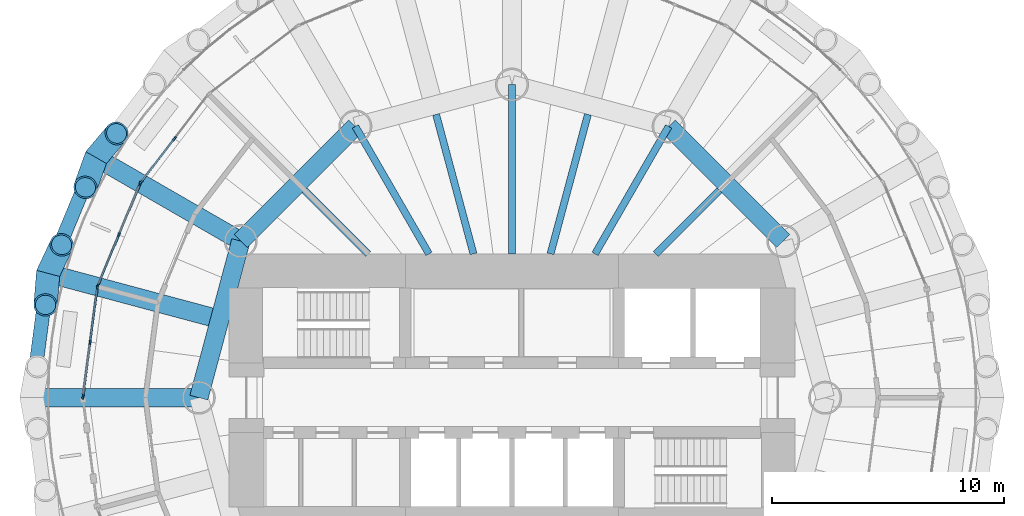
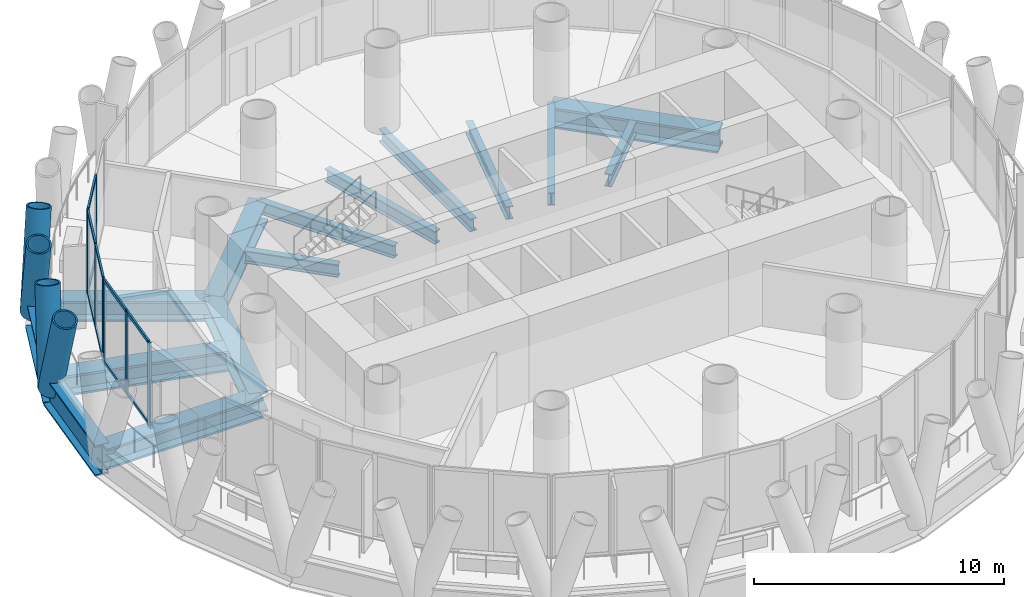
# One storey, part 3 of 12: 22 members, 15 beams, 3 elements without a shape of their own.
"""IFC4 building model written with IfcOpenShell, lengths in metres."""

import ifcopenshell
import ifcopenshell.guid

model = None  # the IFC model being written
_history = None  # IfcOwnerHistory: only IFC2X3 demands one
_inside = {}  # id of a spatial element -> (the spatial element, [elements in it])
_under = {}  # id of a project, library or spatial element -> (it, [spatial elements below it])
_declared = {}  # id of a project -> (the project, [libraries it declares])
_typed = {}  # id of a type object -> (the type object, [elements of that type])
_made_of = {}  # id of a material, layer set ... -> (it, [elements and type objects made of it])


def new_model(schema):
    """Start an empty IFC model of exactly this schema.

    Asked for "IFC4X3", IfcOpenShell would pick the latest addendum, in which some entities
    have other attributes; the version numbers below select the first issue.
    IFC2X3 requires an IfcOwnerHistory on every rooted entity: one is made here for all.
    """
    global model, _history
    if schema == "IFC4X3":
        model = ifcopenshell.file(schema_version=(4, 3, 0, 0))
    else:
        model = ifcopenshell.file(schema=schema)
    _inside.clear()
    _under.clear()
    _declared.clear()
    _typed.clear()
    _made_of.clear()
    _history = None
    if model.schema == "IFC2X3":
        org = make("IfcOrganization", Name="unknown")
        user = make(
            "IfcPersonAndOrganization",
            ThePerson=make("IfcPerson", FamilyName="unknown"),
            TheOrganization=org,
        )
        app = make(
            "IfcApplication",
            ApplicationDeveloper=org,
            Version="unknown",
            ApplicationFullName="unknown",
            ApplicationIdentifier="unknown",
        )
        _history = make(
            "IfcOwnerHistory",
            OwningUser=user,
            OwningApplication=app,
            ChangeAction="ADDED",
            CreationDate=0,
        )
    return model


def make(cls, **values):
    """One entity of the class cls with the attributes given. An attribute that is None is left unset."""
    return model.create_entity(
        cls, **{name: value for name, value in values.items() if value is not None}
    )


def rooted(cls, **values):
    """An entity with a GlobalId (a new one), such as an element, a storey or a relation."""
    return make(cls, GlobalId=ifcopenshell.guid.new(), OwnerHistory=_history, **values)


def si_unit(unit_type, name, prefix=None):
    """IfcSIUnit, for example si_unit("LENGTHUNIT", "METRE", prefix="MILLI")."""
    return make("IfcSIUnit", UnitType=unit_type, Prefix=prefix, Name=name)


def assignment(units):
    """IfcUnitAssignment: the units of a project."""
    return None if units is None else make("IfcUnitAssignment", Units=units)


def point(xyz):
    """IfcCartesianPoint."""
    return None if xyz is None else make("IfcCartesianPoint", Coordinates=xyz)


def direction(xyz):
    """IfcDirection."""
    return None if xyz is None else make("IfcDirection", DirectionRatios=xyz)


def frame(location, z_axis=None, x_axis=None):
    """IfcAxis2Placement3D, a coordinate frame: its origin and axes. An axis left out is left unset."""
    return make(
        "IfcAxis2Placement3D",
        Location=point(location),
        Axis=direction(z_axis),
        RefDirection=direction(x_axis),
    )


def frame_2d(location, x_axis=None):
    """IfcAxis2Placement2D, a coordinate frame in the plane: its origin and x axis."""
    return make(
        "IfcAxis2Placement2D", Location=point(location), RefDirection=direction(x_axis)
    )


def origin():
    """The frame at (0, 0, 0) with its axes left unset."""
    return frame((0.0, 0.0, 0.0))


def origin_2d():
    """The frame at (0, 0) in the plane with its x axis left unset."""
    return frame_2d((0.0, 0.0))


def place(relative_to, where):
    """IfcLocalPlacement: puts the frame where relative to a parent placement (None: the world)."""
    return make(
        "IfcLocalPlacement", PlacementRelTo=relative_to, RelativePlacement=where
    )


def context(
    kind, dimensions, precision=None, world=None, true_north=None, identifier=None
):
    """IfcGeometricRepresentationContext, for example the 3D "Model" context."""
    return make(
        "IfcGeometricRepresentationContext",
        ContextIdentifier=identifier,
        ContextType=kind,
        CoordinateSpaceDimension=dimensions,
        Precision=precision,
        WorldCoordinateSystem=world,
        TrueNorth=true_north,
    )


def subcontext(parent, identifier, kind, view, scale=None):
    """IfcGeometricRepresentationSubContext, for example "Body" below "Model"."""
    return make(
        "IfcGeometricRepresentationSubContext",
        ContextIdentifier=identifier,
        ContextType=kind,
        ParentContext=parent,
        TargetScale=scale,
        TargetView=view,
    )


def project(units=None, contexts=None):
    """IfcProject with its units and contexts."""
    return rooted(
        "IfcProject",
        Name="project",
        RepresentationContexts=contexts,
        UnitsInContext=assignment(units),
    )


def spatial(cls, under=None, at=None, **own):
    """A site, building, storey or space (cls), placed at a placement, below another one or the project."""
    s = rooted(cls, ObjectPlacement=at, **own)
    if under is not None:
        _under.setdefault(under.id(), (under, []))[1].append(s)
    return s


def profile(cls, at=None, kind="AREA", **sizes):
    """A parametric profile (cls). Its sizes go by their IFC names, for example OverallWidth=200.0."""
    return make(cls, ProfileType=kind, Position=at, **sizes)


def rectangle(**sizes):
    """IfcRectangleProfileDef."""
    return profile("IfcRectangleProfileDef", **sizes)


def hollow_circle(**sizes):
    """IfcCircleHollowProfileDef."""
    return profile("IfcCircleHollowProfileDef", **sizes)


def i_section(**sizes):
    """IfcIShapeProfileDef."""
    return profile("IfcIShapeProfileDef", **sizes)


def extrude(swept, where, along, depth):
    """IfcExtrudedAreaSolid: the profile swept, set in the frame where, extruded along a direction by depth."""
    return make(
        "IfcExtrudedAreaSolid",
        SweptArea=swept,
        Position=where,
        ExtrudedDirection=direction(along),
        Depth=depth,
    )


def shape(context_of_items, identifier, shape_type, items):
    """IfcShapeRepresentation: the items that make up one representation, for example the "Body"."""
    return make(
        "IfcShapeRepresentation",
        ContextOfItems=context_of_items,
        RepresentationIdentifier=identifier,
        RepresentationType=shape_type,
        Items=items,
    )


def material(Name=None, Category=None):
    """IfcMaterial."""
    return make("IfcMaterial", Name=Name, Category=Category)


def material_profile(
    of_material, cross_section, Name=None, Category=None, Priority=None
):
    """IfcMaterialProfile: a cross section and its material."""
    return make(
        "IfcMaterialProfile",
        Name=Name,
        Material=of_material,
        Profile=cross_section,
        Priority=Priority,
        Category=Category,
    )


def profile_set(profiles, Name=None, composite=None):
    """IfcMaterialProfileSet."""
    return make(
        "IfcMaterialProfileSet",
        Name=Name,
        MaterialProfiles=profiles,
        CompositeProfile=composite,
    )


def made_of(thing, what):
    """Note that an element or type object is made of a material, layer set ...; save() writes the relation."""
    if what is not None:
        _made_of.setdefault(what.id(), (what, []))[1].append(thing)
    return thing


def type_object(cls, material=None, **own):
    """A type object (cls), such as IfcWallType, which elements share."""
    return made_of(rooted(cls, **own), material)


def element(
    cls,
    number,
    at=None,
    inside=None,
    cuts=None,
    type_object=None,
    material=None,
    context=None,
    identifier="Body",
    shape_type=None,
    held_by="IfcProductDefinitionShape",
    body=None,
    shapes=None,
    **own,
):
    """One element of the class cls, such as IfcWall. Its Tag is "e" and its number.

    at: its placement. inside: the storey or other place that contains it. cuts: it is an
    opening in that element (IfcRelVoidsElement). A single representation is given by context,
    identifier, shape_type and body (its items); several are given by shapes. held_by: the class
    of the entity that holds the representations. save() writes the other relations.
    """
    e = rooted(cls, Tag="e%d" % number, ObjectPlacement=at, **own)
    if body is not None:
        shapes = [shape(context, identifier, shape_type, body)]
    if shapes is not None:
        e.Representation = make(held_by, Representations=shapes)
    if inside is not None:
        _inside.setdefault(inside.id(), (inside, []))[1].append(e)
    if cuts is not None:
        rooted(
            "IfcRelVoidsElement", RelatingBuildingElement=cuts, RelatedOpeningElement=e
        )
    if type_object is not None:
        _typed.setdefault(type_object.id(), (type_object, []))[1].append(e)
    return made_of(e, material)


def aggregate(whole, parts):
    """IfcRelAggregates: a whole, such as a stair, and the parts it consists of."""
    return rooted("IfcRelAggregates", RelatingObject=whole, RelatedObjects=parts)


def save(model, path):
    """Write the relations noted so far, then the file.

    IfcRelAggregates (storeys below a building ...), IfcRelContainedInSpatialStructure (elements
    in a storey), IfcRelDefinesByType, IfcRelAssociatesMaterial and IfcRelDeclares: one each for
    every whole, place, type object, material and project.
    """
    for whole, parts in _under.values():
        aggregate(whole, parts)
    for where, things in _inside.values():
        rooted(
            "IfcRelContainedInSpatialStructure",
            RelatedElements=things,
            RelatingStructure=where,
        )
    for kind, things in _typed.values():
        rooted("IfcRelDefinesByType", RelatedObjects=things, RelatingType=kind)
    for what, things in _made_of.values():
        rooted("IfcRelAssociatesMaterial", RelatedObjects=things, RelatingMaterial=what)
    for by, libraries in _declared.values():
        rooted("IfcRelDeclares", RelatingContext=by, RelatedDefinitions=libraries)
    model.write(path)


model = new_model("IFC4")

# Units and contexts
model_context = context("Model", 3, precision=1e-05, world=origin(), true_north=direction((0.0, 1.0)))
body_context = subcontext(model_context, "Body", "Model", "MODEL_VIEW")
ifc_project = project(units=[si_unit("LENGTHUNIT", "METRE"), si_unit("AREAUNIT", "SQUARE_METRE"), si_unit("VOLUMEUNIT", "CUBIC_METRE"), si_unit("PLANEANGLEUNIT", "RADIAN"), si_unit("MASSUNIT", "GRAM", prefix="KILO")], contexts=[model_context])

# Site, building, storey
site_placement = place(None, origin())
site = spatial("IfcSite", under=ifc_project, at=site_placement, CompositionType="ELEMENT")
building_placement = place(site_placement, origin())
building = spatial("IfcBuilding", under=site, at=building_placement, Name="Qaws Media Tower", CompositionType="ELEMENT")
storey_placement = place(building_placement, frame((0.0, 0.0, 278.0)))
storey = spatial("IfcBuildingStorey", under=building, at=storey_placement, Name="L64", CompositionType="ELEMENT", Elevation=278.0)

# Curtain wall, members
ifc_material_1 = material(Name="Aluminium and clear glass", Category="aluminium")
curtain_wall_type = type_object("IfcCurtainWallType", Name="Unitised curtain wall CW-D", PredefinedType="NOTDEFINED", material=ifc_material_1)
curtain_wall_1_placement = place(storey_placement, origin())
curtain_wall_1 = element("IfcCurtainWall", 1, at=curtain_wall_1_placement, inside=storey, type_object=curtain_wall_type, Name="CWD curtain wall L64-10", PredefinedType="NOTDEFINED")
ifc_material_2 = material(Name="Aluminium mullion", Category="aluminium")
ifc_material_profile_1 = material_profile(ifc_material_2, rectangle(XDim=0.080078125, YDim=0.199951171875, at=origin_2d()), Name="80x200")
ifc_profile_set_1 = profile_set([ifc_material_profile_1], Name="Aluminium mullion")
member_type_1 = type_object("IfcMemberType", Name="Curtain wall mullion 80x200", PredefinedType="MULLION", material=ifc_profile_set_1)
member_1_placement = place(storey_placement, frame((45.448486328125, 61.165771484375, 0.0), z_axis=(0.0, 0.0, 1.0), x_axis=(0.793353257417, -0.608761537012, 0.0)))
member_1 = element("IfcMember", 2, at=member_1_placement, type_object=member_type_1, Name="CWD mullion 2", PredefinedType="MULLION", context=body_context, shape_type="SweptSolid", body=[
    extrude(rectangle(XDim=0.080078125, YDim=0.199951171875, at=origin_2d()), origin(), (0.0, 0.0, 1.0), 4.0400390625),
])
member_2_placement = place(storey_placement, frame((44.0029296875, 59.28173828125, 0.0), z_axis=(0.0, 0.0, 1.0), x_axis=(0.793353257417, -0.608761537012, 0.0)))
member_2 = element("IfcMember", 3, at=member_2_placement, type_object=member_type_1, Name="CWD mullion 3", PredefinedType="MULLION", context=body_context, shape_type="SweptSolid", body=[
    extrude(rectangle(XDim=0.080078125, YDim=0.199951171875, at=origin_2d()), origin(), (0.0, 0.0, 1.0), 4.0400390625),
])

curtain_wall_2_placement = place(storey_placement, origin())
curtain_wall_2 = element("IfcCurtainWall", 4, at=curtain_wall_2_placement, inside=storey, type_object=curtain_wall_type, Name="CWD curtain wall L64-11", PredefinedType="NOTDEFINED")
member_3_placement = place(storey_placement, frame((43.963134765625, 59.213134765625, 0.0), z_axis=(0.0, 0.0, 1.0), x_axis=(0.923879529205, -0.382683440347, 0.0)))
member_3 = element("IfcMember", 5, at=member_3_placement, type_object=member_type_1, Name="CWD mullion 1", PredefinedType="MULLION", context=body_context, shape_type="SweptSolid", body=[
    extrude(rectangle(XDim=0.080078125, YDim=0.199951171875, at=origin_2d()), origin(), (0.0, 0.0, 1.0), 4.0400390625),
])
member_4_placement = place(storey_placement, frame((43.054443359375, 57.01904296875, 0.0), z_axis=(0.0, 0.0, 1.0), x_axis=(0.923879529205, -0.382683440347, 0.0)))
member_4 = element("IfcMember", 6, at=member_4_placement, type_object=member_type_1, Name="CWD mullion 2", PredefinedType="MULLION", context=body_context, shape_type="SweptSolid", body=[
    extrude(rectangle(XDim=0.080078125, YDim=0.199951171875, at=origin_2d()), origin(), (0.0, 0.0, 1.0), 4.0400390625),
])
member_5_placement = place(storey_placement, frame((42.145751953125, 54.8251953125, 0.0), z_axis=(0.0, 0.0, 1.0), x_axis=(0.923879529205, -0.382683440347, 0.0)))
member_5 = element("IfcMember", 7, at=member_5_placement, type_object=member_type_1, Name="CWD mullion 3", PredefinedType="MULLION", context=body_context, shape_type="SweptSolid", body=[
    extrude(rectangle(XDim=0.080078125, YDim=0.199951171875, at=origin_2d()), origin(), (0.0, 0.0, 1.0), 4.0400390625),
])

curtain_wall_3_placement = place(storey_placement, origin())
curtain_wall_3 = element("IfcCurtainWall", 8, at=curtain_wall_3_placement, inside=storey, type_object=curtain_wall_type, Name="CWD curtain wall L64-12", PredefinedType="NOTDEFINED")
member_6_placement = place(storey_placement, frame((42.125244140625, 54.74853515625, 0.0), z_axis=(0.0, 0.0, 1.0), x_axis=(0.991444865919, -0.130526157699, 0.0)))
member_6 = element("IfcMember", 9, at=member_6_placement, type_object=member_type_1, Name="CWD mullion 1", PredefinedType="MULLION", context=body_context, shape_type="SweptSolid", body=[
    extrude(rectangle(XDim=0.080078125, YDim=0.199951171875, at=origin_2d()), origin(), (0.0, 0.0, 1.0), 4.0400390625),
])
member_7_placement = place(storey_placement, frame((41.815185546875, 52.39404296875, 0.0), z_axis=(0.0, 0.0, 1.0), x_axis=(0.991444865919, -0.130526157699, 0.0)))
member_7 = element("IfcMember", 10, at=member_7_placement, type_object=member_type_1, Name="CWD mullion 2", PredefinedType="MULLION", context=body_context, shape_type="SweptSolid", body=[
    extrude(rectangle(XDim=0.080078125, YDim=0.199951171875, at=origin_2d()), origin(), (0.0, 0.0, 1.0), 4.0400390625),
])
member_8_placement = place(storey_placement, frame((41.505126953125, 50.03955078125, 0.0), z_axis=(0.0, 0.0, 1.0), x_axis=(0.991444865919, -0.130526157699, 0.0)))
member_8 = element("IfcMember", 11, at=member_8_placement, type_object=member_type_1, Name="CWD mullion 3", PredefinedType="MULLION", context=body_context, shape_type="SweptSolid", body=[
    extrude(rectangle(XDim=0.080078125, YDim=0.199951171875, at=origin_2d()), origin(), (0.0, 0.0, 1.0), 4.0400390625),
])

# Member
ifc_material_3 = material(Name="Aluminium transom", Category="aluminium")
ifc_material_profile_2 = material_profile(ifc_material_3, rectangle(XDim=0.080078125, YDim=0.159912109375, at=origin_2d()), Name="80x160")
ifc_profile_set_2 = profile_set([ifc_material_profile_2], Name="Aluminium transom")
member_type_2 = type_object("IfcMemberType", Name="Curtain wall transom 80x160", PredefinedType="USERDEFINED", material=ifc_profile_set_2)
member_9_placement = place(storey_placement, frame((45.424072265625, 61.134033203125, 0.0400390625), z_axis=(-0.608697315925, -0.793402531875, 0.0), x_axis=(0.793402531875, -0.608697315925, 0.0)))
member_9 = element("IfcMember", 12, at=member_9_placement, type_object=member_type_2, Name="CWD transom 2.1", ObjectType="TRANSOM", PredefinedType="USERDEFINED", context=body_context, shape_type="SweptSolid", body=[
    extrude(rectangle(XDim=0.080078125, YDim=0.159912109375, at=origin_2d()), origin(), (0.0, 0.0, 1.0), 2.294677734375),
])

member_10_placement = place(storey_placement, frame((45.424072265625, 61.134033203125, 4.0), z_axis=(-0.608697315925, -0.793402531875, 0.0), x_axis=(0.793402531875, -0.608697315925, 0.0)))
member_10 = element("IfcMember", 13, at=member_10_placement, type_object=member_type_2, Name="CWD transom 2.2", ObjectType="TRANSOM", PredefinedType="USERDEFINED", context=body_context, shape_type="SweptSolid", body=[
    extrude(rectangle(XDim=0.080078125, YDim=0.159912109375, at=origin_2d()), origin(), (0.0, 0.0, 1.0), 2.294677734375),
])

aggregate(curtain_wall_1, [member_1, member_2, member_9, member_10])

member_11_placement = place(storey_placement, frame((43.947998046875, 59.176025390625, 0.0400390625), z_axis=(-0.382718273122, -0.923865100228, 0.0), x_axis=(0.923865100228, -0.382718273122, 0.0)))
member_11 = element("IfcMember", 14, at=member_11_placement, type_object=member_type_2, Name="CWD transom 1.1", ObjectType="TRANSOM", PredefinedType="USERDEFINED", context=body_context, shape_type="SweptSolid", body=[
    extrude(rectangle(XDim=0.080078125, YDim=0.159912109375, at=origin_2d()), origin(), (0.0, 0.0, 1.0), 2.294677734375),
])

member_12_placement = place(storey_placement, frame((43.947998046875, 59.176025390625, 4.0), z_axis=(-0.382718273122, -0.923865100228, 0.0), x_axis=(0.923865100228, -0.382718273122, 0.0)))
member_12 = element("IfcMember", 15, at=member_12_placement, type_object=member_type_2, Name="CWD transom 1.2", ObjectType="TRANSOM", PredefinedType="USERDEFINED", context=body_context, shape_type="SweptSolid", body=[
    extrude(rectangle(XDim=0.080078125, YDim=0.159912109375, at=origin_2d()), origin(), (0.0, 0.0, 1.0), 2.294677734375),
])

member_13_placement = place(storey_placement, frame((43.0390625, 56.982177734375, 0.0400390625), z_axis=(-0.382680655833, -0.923880682584, 0.0), x_axis=(0.923880682584, -0.382680655833, 0.0)))
member_13 = element("IfcMember", 16, at=member_13_placement, type_object=member_type_2, Name="CWD transom 2.1", ObjectType="TRANSOM", PredefinedType="USERDEFINED", context=body_context, shape_type="SweptSolid", body=[
    extrude(rectangle(XDim=0.080078125, YDim=0.159912109375, at=origin_2d()), origin(), (0.0, 0.0, 1.0), 2.294677734375),
])

member_14_placement = place(storey_placement, frame((43.0390625, 56.982177734375, 4.0), z_axis=(-0.382680655833, -0.923880682584, 0.0), x_axis=(0.923880682584, -0.382680655833, 0.0)))
member_14 = element("IfcMember", 17, at=member_14_placement, type_object=member_type_2, Name="CWD transom 2.2", ObjectType="TRANSOM", PredefinedType="USERDEFINED", context=body_context, shape_type="SweptSolid", body=[
    extrude(rectangle(XDim=0.080078125, YDim=0.159912109375, at=origin_2d()), origin(), (0.0, 0.0, 1.0), 2.294677734375),
])

aggregate(curtain_wall_2, [member_3, member_4, member_5, member_11, member_12, member_13, member_14])

member_15_placement = place(storey_placement, frame((42.119873046875, 54.708740234375, 0.0400390625), z_axis=(-0.130553597072, -0.991441253071, 0.0), x_axis=(0.991441253071, -0.130553597072, 0.0)))
member_15 = element("IfcMember", 18, at=member_15_placement, type_object=member_type_2, Name="CWD transom 1.1", ObjectType="TRANSOM", PredefinedType="USERDEFINED", context=body_context, shape_type="SweptSolid", body=[
    extrude(rectangle(XDim=0.080078125, YDim=0.159912109375, at=origin_2d()), origin(), (0.0, 0.0, 1.0), 2.29443359375),
])

member_16_placement = place(storey_placement, frame((42.119873046875, 54.708740234375, 4.0), z_axis=(-0.130553597072, -0.991441253071, 0.0), x_axis=(0.991441253071, -0.130553597072, 0.0)))
member_16 = element("IfcMember", 19, at=member_16_placement, type_object=member_type_2, Name="CWD transom 1.2", ObjectType="TRANSOM", PredefinedType="USERDEFINED", context=body_context, shape_type="SweptSolid", body=[
    extrude(rectangle(XDim=0.080078125, YDim=0.159912109375, at=origin_2d()), origin(), (0.0, 0.0, 1.0), 2.29443359375),
])

member_17_placement = place(storey_placement, frame((41.81005859375, 52.3544921875, 0.0400390625), z_axis=(-0.130539826414, -0.991443066303, 0.0), x_axis=(0.991443066303, -0.130539826414, 0.0)))
member_17 = element("IfcMember", 20, at=member_17_placement, type_object=member_type_2, Name="CWD transom 2.1", ObjectType="TRANSOM", PredefinedType="USERDEFINED", context=body_context, shape_type="SweptSolid", body=[
    extrude(rectangle(XDim=0.080078125, YDim=0.159912109375, at=origin_2d()), origin(), (0.0, 0.0, 1.0), 2.294677734375),
])

member_18_placement = place(storey_placement, frame((41.81005859375, 52.3544921875, 4.0), z_axis=(-0.130539826414, -0.991443066303, 0.0), x_axis=(0.991443066303, -0.130539826414, 0.0)))
member_18 = element("IfcMember", 21, at=member_18_placement, type_object=member_type_2, Name="CWD transom 2.2", ObjectType="TRANSOM", PredefinedType="USERDEFINED", context=body_context, shape_type="SweptSolid", body=[
    extrude(rectangle(XDim=0.080078125, YDim=0.159912109375, at=origin_2d()), origin(), (0.0, 0.0, 1.0), 2.294677734375),
])

aggregate(curtain_wall_3, [member_6, member_7, member_8, member_15, member_16, member_17, member_18])

# Members
ifc_material_4 = material(Name="Steel S460", Category="steel")
ifc_material_profile_3 = material_profile(ifc_material_4, hollow_circle(Radius=0.508056640625, WallThickness=0.070068359375, at=origin_2d()), Name="CHS 1016x70")
ifc_profile_set_3 = profile_set([ifc_material_profile_3], Name="Steel S460")
member_type_3 = type_object("IfcMemberType", Name="Diagrid member CHS 1016x70", PredefinedType="USERDEFINED", material=ifc_profile_set_3)
for number, where, z_axis, x_axis, name in (
    (22, (42.0732421875, 60.35009765625, -0.909912109375), (-0.104002538317, -0.290609963526, 0.951172603223), (0.941522862002, -0.336949106436, 0.0), "DG3 diagrid L64 A11"),
    (23, (42.0732421875, 60.35009765625, -0.909912109375), (0.199659430488, 0.23532277379, 0.951188364076), (-0.762522527082, 0.646961664778, 0.0), "DG3 diagrid L64 B11"),
    (24, (40.00537109375, 55.357666015625, -0.909912109375), (-0.025267902202, -0.307638091585, 0.951167880936), (0.996643879432, -0.081859499083, 0.0), "DG3 diagrid L64 A12"),
    (25, (40.00537109375, 55.357666015625, -0.909912109375), (0.131926269467, 0.279002496115, 0.951185085347), (-0.904029469388, 0.427470137527, 0.0), "DG3 diagrid L64 B12"),
):
    element("IfcMember", number, at=place(storey_placement, frame(where, z_axis=z_axis, x_axis=x_axis)), inside=storey, type_object=member_type_3, Name=name, ObjectType="DIAGRID", PredefinedType="USERDEFINED", context=body_context, shape_type="SweptSolid", body=[
        extrude(hollow_circle(Radius=0.508056640625, WallThickness=0.070068359375, at=origin_2d()), origin(), (0.0, 0.0, 1.0), 4.41552734375),
    ])

# Beams
ifc_material_5 = material(Name="Steel S460", Category="steel")
ifc_material_profile_4 = material_profile(ifc_material_5, i_section(OverallWidth=0.60009765625, OverallDepth=1.5, WebThickness=0.030029296875, FlangeThickness=0.080078125, at=origin_2d()), Name="PG 1500x600")
ifc_profile_set_4 = profile_set([ifc_material_profile_4], Name="Steel S460")
beam_type_1 = type_object("IfcBeamType", Name="Edge ring beam PG 1500x600", PredefinedType="BEAM", material=ifc_profile_set_4)
for number, where, z_axis, x_axis, name in (
    (26, (42.0732421875, 60.35009765625, -0.909912109375), (-0.382673670509, -0.923883575944, 0.0), (0.923883575944, -0.382673670509, 0.0), "RB5 edge ring beam L64-11"),
    (27, (40.00537109375, 55.357666015625, -0.909912109375), (-0.130521126954, -0.991445528216, 0.0), (0.991445528216, -0.130521126954, 0.0), "RB5 edge ring beam L64-12"),
):
    element("IfcBeam", number, at=place(storey_placement, frame(where, z_axis=z_axis, x_axis=x_axis)), inside=storey, type_object=beam_type_1, Name=name, PredefinedType="BEAM", context=body_context, shape_type="SweptSolid", body=[
        extrude(i_section(OverallWidth=0.60009765625, OverallDepth=1.5, WebThickness=0.030029296875, FlangeThickness=0.080078125, at=origin_2d()), origin(), (0.0, 0.0, 1.0), 5.40380859375),
    ])
ifc_material_6 = material(Name="Steel S460", Category="steel")
ifc_material_profile_5 = material_profile(ifc_material_6, i_section(OverallWidth=0.800048828125, OverallDepth=1.0, WebThickness=0.0400390625, FlangeThickness=0.10009765625, at=origin_2d()), Name="PG 1000x800")
ifc_profile_set_5 = profile_set([ifc_material_profile_5], Name="Steel S460")
beam_type_2 = type_object("IfcBeamType", Name="Inner ring girder PG 1000x800", PredefinedType="BEAM", material=ifc_profile_set_5)
for number, where, z_axis, x_axis, name in (
    (28, (71.69140625, 56.75, -0.659912109375), (-0.707106781187, 0.707106781187, 0.0), (-0.707106781187, -0.707106781187, 0.0), "B3 inner ring beam L64 I02-I03"),
    (29, (53.25, 61.69140625, -0.659912109375), (-0.707106781187, -0.707106781187, 0.0), (0.707106781187, -0.707106781187, 0.0), "B3 inner ring beam L64 I05-I06"),
):
    element("IfcBeam", number, at=place(storey_placement, frame(where, z_axis=z_axis, x_axis=x_axis)), inside=storey, type_object=beam_type_2, Name=name, PredefinedType="BEAM", context=body_context, shape_type="SweptSolid", body=[
        extrude(i_section(OverallWidth=0.800048828125, OverallDepth=1.0, WebThickness=0.0400390625, FlangeThickness=0.10009765625, at=origin_2d()), origin(), (0.0, 0.0, 1.0), 6.98828125),
    ])
beam_1_placement = place(storey_placement, frame((48.30859375, 56.75, -0.659912109375), z_axis=(-0.258810593767, -0.965928090778, 0.0), x_axis=(0.965928090778, -0.258810593767, 0.0)))
element("IfcBeam", 30, at=beam_1_placement, inside=storey, type_object=beam_type_2, Name="B3 inner ring beam L64 I06-I07", PredefinedType="BEAM", context=body_context, shape_type="SweptSolid", body=[
    extrude(i_section(OverallWidth=0.800048828125, OverallDepth=1.0, WebThickness=0.0400390625, FlangeThickness=0.10009765625, at=origin_2d()), origin(), (0.0, 0.0, 1.0), 6.988037109375),
])
ifc_material_7 = material(Name="Steel S355", Category="steel")
ifc_material_profile_6 = material_profile(ifc_material_7, i_section(OverallWidth=0.304931640625, OverallDepth=0.6201171875, WebThickness=0.02099609375, FlangeThickness=0.0400390625, FilletRadius=0.027099609375, at=origin_2d()), Name="HE 600 M")
ifc_profile_set_6 = profile_set([ifc_material_profile_6], Name="Steel S355")
beam_type_3 = type_object("IfcBeamType", Name="Radial beam HE 600 M, core side", PredefinedType="BEAM", material=ifc_profile_set_6)
beam_2_placement = place(storey_placement, frame((66.199951171875, 56.199951171875, -0.469970703125), z_axis=(0.707106781187, 0.707106781187, 0.0), x_axis=(-0.707106781187, 0.707106781187, 0.0)))
element("IfcBeam", 31, at=beam_2_placement, inside=storey, type_object=beam_type_3, Name="B2 radial beam L64 04", PredefinedType="BEAM", context=body_context, shape_type="SweptSolid", body=[
    extrude(i_section(OverallWidth=0.304931640625, OverallDepth=0.6201171875, WebThickness=0.02099609375, FlangeThickness=0.0400390625, FilletRadius=0.027099609375, at=origin_2d()), origin(), (0.0, 0.0, 1.0), 3.871826171875),
])
beam_3_placement = place(storey_placement, frame((63.57958984375, 56.199951171875, -0.469970703125), z_axis=(0.499990193304, 0.866031065609, 0.0), x_axis=(-0.866031065609, 0.499990193304, 0.0)))
element("IfcBeam", 32, at=beam_3_placement, inside=storey, type_object=beam_type_3, Name="B2 radial beam L64 05", PredefinedType="BEAM", context=body_context, shape_type="SweptSolid", body=[
    extrude(i_section(OverallWidth=0.304931640625, OverallDepth=0.6201171875, WebThickness=0.02099609375, FlangeThickness=0.0400390625, FilletRadius=0.027099609375, at=origin_2d()), origin(), (0.0, 0.0, 1.0), 6.341064453125),
])
beam_4_placement = place(storey_placement, frame((61.661376953125, 56.199951171875, -0.469970703125), z_axis=(0.258808008719, 0.965928783412, 0.0), x_axis=(-0.965928783412, 0.258808008719, 0.0)))
element("IfcBeam", 33, at=beam_4_placement, inside=storey, type_object=beam_type_3, Name="B2 radial beam L64 06", PredefinedType="BEAM", context=body_context, shape_type="SweptSolid", body=[
    extrude(i_section(OverallWidth=0.304931640625, OverallDepth=0.6201171875, WebThickness=0.02099609375, FlangeThickness=0.0400390625, FilletRadius=0.027099609375, at=origin_2d()), origin(), (0.0, 0.0, 1.0), 6.22119140625),
])
beam_5_placement = place(storey_placement, frame((60.0, 56.199951171875, -0.469970703125), z_axis=(0.0, 1.0, 0.0), x_axis=(-1.0, 0.0, 0.0)))
element("IfcBeam", 34, at=beam_5_placement, inside=storey, type_object=beam_type_3, Name="B2 radial beam L64 07", PredefinedType="BEAM", context=body_context, shape_type="SweptSolid", body=[
    extrude(i_section(OverallWidth=0.304931640625, OverallDepth=0.6201171875, WebThickness=0.02099609375, FlangeThickness=0.0400390625, FilletRadius=0.027099609375, at=origin_2d()), origin(), (0.0, 0.0, 1.0), 7.300048828125),
])
beam_6_placement = place(storey_placement, frame((58.338623046875, 56.199951171875, -0.469970703125), z_axis=(-0.258808008719, 0.965928783412, 0.0), x_axis=(-0.965928783412, -0.258808008719, 0.0)))
element("IfcBeam", 35, at=beam_6_placement, inside=storey, type_object=beam_type_3, Name="B2 radial beam L64 08", PredefinedType="BEAM", context=body_context, shape_type="SweptSolid", body=[
    extrude(i_section(OverallWidth=0.304931640625, OverallDepth=0.6201171875, WebThickness=0.02099609375, FlangeThickness=0.0400390625, FilletRadius=0.027099609375, at=origin_2d()), origin(), (0.0, 0.0, 1.0), 6.22119140625),
])
beam_7_placement = place(storey_placement, frame((56.42041015625, 56.199951171875, -0.469970703125), z_axis=(-0.499990193304, 0.866031065609, 0.0), x_axis=(-0.866031065609, -0.499990193304, 0.0)))
element("IfcBeam", 36, at=beam_7_placement, inside=storey, type_object=beam_type_3, Name="B2 radial beam L64 09", PredefinedType="BEAM", context=body_context, shape_type="SweptSolid", body=[
    extrude(i_section(OverallWidth=0.304931640625, OverallDepth=0.6201171875, WebThickness=0.02099609375, FlangeThickness=0.0400390625, FilletRadius=0.027099609375, at=origin_2d()), origin(), (0.0, 0.0, 1.0), 6.341064453125),
])
beam_8_placement = place(storey_placement, frame((53.800048828125, 56.199951171875, -0.469970703125), z_axis=(-0.707106781187, 0.707106781187, 0.0), x_axis=(-0.707106781187, -0.707106781187, 0.0)))
element("IfcBeam", 37, at=beam_8_placement, inside=storey, type_object=beam_type_3, Name="B2 radial beam L64 10", PredefinedType="BEAM", context=body_context, shape_type="SweptSolid", body=[
    extrude(i_section(OverallWidth=0.304931640625, OverallDepth=0.6201171875, WebThickness=0.02099609375, FlangeThickness=0.0400390625, FilletRadius=0.027099609375, at=origin_2d()), origin(), (0.0, 0.0, 1.0), 3.871826171875),
])
ifc_material_8 = material(Name="Steel S460", Category="steel")
ifc_material_profile_7 = material_profile(ifc_material_8, i_section(OverallWidth=0.800048828125, OverallDepth=1.0, WebThickness=0.0400390625, FlangeThickness=0.10009765625, at=origin_2d()), Name="PG 1000x800")
ifc_profile_set_7 = profile_set([ifc_material_profile_7], Name="Steel S460")
beam_type_4 = type_object("IfcBeamType", Name="Radial girder PG 1000x800", PredefinedType="BEAM", material=ifc_profile_set_7)
beam_9_placement = place(storey_placement, frame((48.30859375, 56.75, -0.659912109375), z_axis=(-0.866018442252, 0.500012057535, 0.0), x_axis=(-0.500012057535, -0.866018442252, 0.0)))
element("IfcBeam", 38, at=beam_9_placement, inside=storey, type_object=beam_type_4, Name="B1 radial beam L64 11", PredefinedType="BEAM", context=body_context, shape_type="SweptSolid", body=[
    extrude(i_section(OverallWidth=0.800048828125, OverallDepth=1.0, WebThickness=0.0400390625, FlangeThickness=0.10009765625, at=origin_2d()), origin(), (0.0, 0.0, 1.0), 7.199951171875),
])
beam_10_placement = place(storey_placement, frame((47.01806640625, 53.478515625, -0.659912109375), z_axis=(-0.965922233104, 0.258832454679, 0.0), x_axis=(-0.258832454679, -0.965922233104, 0.0)))
element("IfcBeam", 39, at=beam_10_placement, inside=storey, type_object=beam_type_4, Name="B1 radial beam L64 12", PredefinedType="BEAM", context=body_context, shape_type="SweptSolid", body=[
    extrude(i_section(OverallWidth=0.800048828125, OverallDepth=1.0, WebThickness=0.0400390625, FlangeThickness=0.10009765625, at=origin_2d()), origin(), (0.0, 0.0, 1.0), 7.260009765625),
])
beam_11_placement = place(storey_placement, frame((46.5, 50.0, -0.659912109375), z_axis=(-1.0, 0.0, 0.0), x_axis=(0.0, -1.0, 0.0)))
element("IfcBeam", 40, at=beam_11_placement, inside=storey, type_object=beam_type_4, Name="B1 radial beam L64 13", PredefinedType="BEAM", context=body_context, shape_type="SweptSolid", body=[
    extrude(i_section(OverallWidth=0.800048828125, OverallDepth=1.0, WebThickness=0.0400390625, FlangeThickness=0.10009765625, at=origin_2d()), origin(), (0.0, 0.0, 1.0), 7.199951171875),
])

save(model, "model.ifc")
